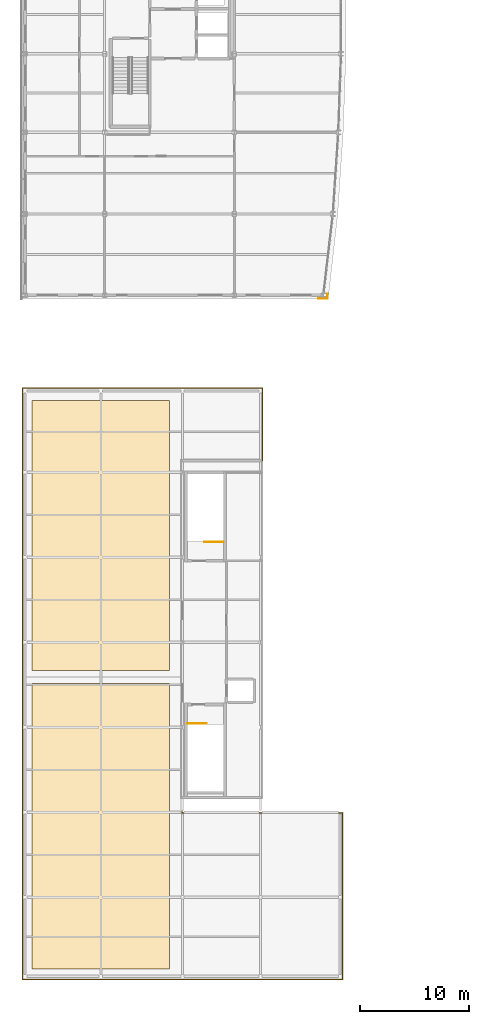
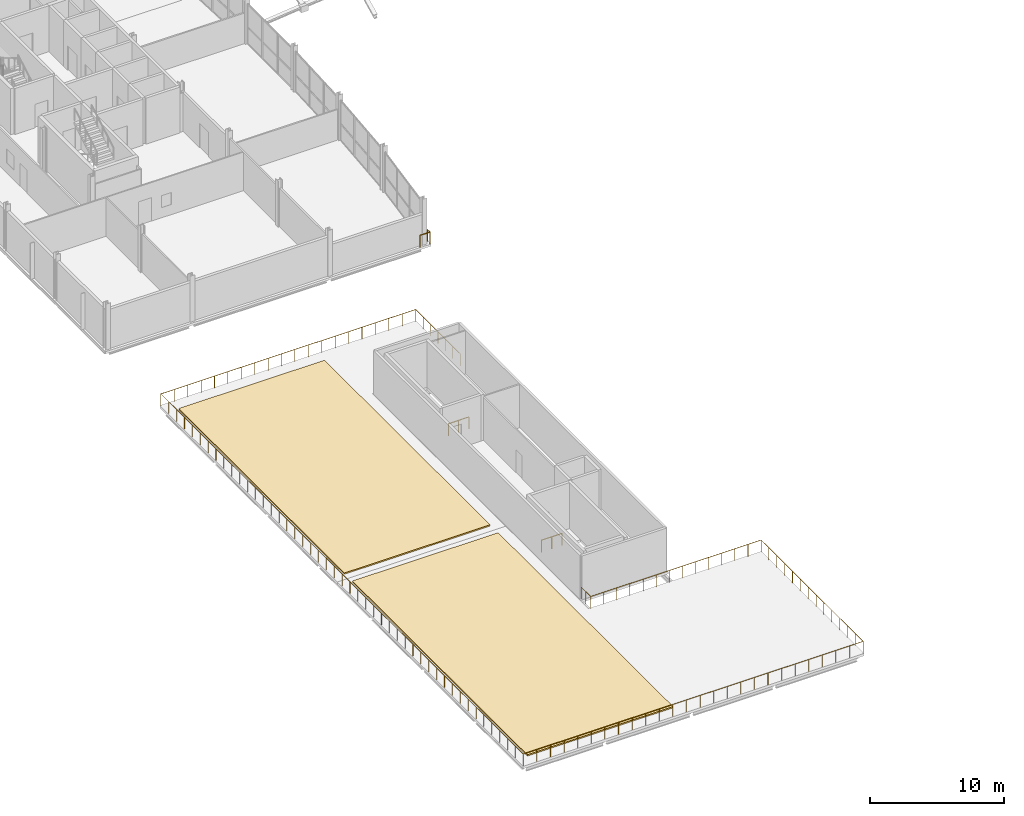
# One storey, part 27 of 36: 4 railings, 2 coverings.
"""IFC4 building model written with IfcOpenShell, lengths in metres."""

from ifc_helpers import new_model, si_unit, direction, frame, origin, origin_2d, place, context, subcontext, project, spatial, polyline, circle, outline, extrude, material, layer, layer_set, type_object, element, save


model = new_model("IFC4")

# Units and contexts
model_context = context("Model", 3, precision=1e-05, world=origin(), true_north=direction((0.0, 1.0)))
body_context = subcontext(model_context, "Body", "Model", "MODEL_VIEW")
ifc_project = project(units=[si_unit("LENGTHUNIT", "METRE"), si_unit("AREAUNIT", "SQUARE_METRE"), si_unit("VOLUMEUNIT", "CUBIC_METRE"), si_unit("PLANEANGLEUNIT", "RADIAN"), si_unit("MASSUNIT", "GRAM", prefix="KILO")], contexts=[model_context])

# Site, building, storey
site_placement = place(None, origin())
site = spatial("IfcSite", under=ifc_project, at=site_placement, CompositionType="ELEMENT")
building_placement = place(site_placement, origin())
building = spatial("IfcBuilding", under=site, at=building_placement, Name="Quillay Park Conservatory", CompositionType="ELEMENT")
storey_placement = place(building_placement, frame((0.0, 0.0, 18.300048828125)))
storey = spatial("IfcBuildingStorey", under=building, at=storey_placement, Name="L04", CompositionType="ELEMENT", Elevation=18.300048828125)

# Railings
ifc_material_1 = material(Name="Steel S355J2H", Category="steel")
railing_type_1 = type_object("IfcRailingType", Name="STAIR WELL GUARDRAIL 1100", PredefinedType="GUARDRAIL", material=ifc_material_1)
railing_1_placement = place(storey_placement, frame((15.449951171875, 23.75, 0.0)))
element("IfcRailing", 1, at=railing_1_placement, inside=storey, type_object=railing_type_1, Name="L04 ST-V1 top well guard 1", PredefinedType="GUARDRAIL", context=body_context, shape_type="SweptSolid", body=[
    extrude(circle(Radius=0.02392578125, at=origin_2d()), frame((0.0, 0.0, 1.076171875), z_axis=(1.0, 0.0, 0.0), x_axis=(0.0, 1.0, 0.0)), (0.0, 0.0, 1.0), 1.760009765625),
    extrude(circle(Radius=0.02099609375, at=origin_2d()), origin(), (0.0, 0.0, 1.0), 1.052001953125),
    extrude(circle(Radius=0.02099609375, at=origin_2d()), frame((0.8798828125, 0.0, 0.0)), (0.0, 0.0, 1.0), 1.052001953125),
    extrude(circle(Radius=0.02099609375, at=origin_2d()), frame((1.760009765625, 0.0, 0.0)), (0.0, 0.0, 1.0), 1.052001953125),
])
railing_2_placement = place(storey_placement, frame((18.77001953125, 40.39990234375, 0.0)))
element("IfcRailing", 2, at=railing_2_placement, inside=storey, type_object=railing_type_1, Name="L04 ST-V2 top well guard 1", PredefinedType="GUARDRAIL", context=body_context, shape_type="SweptSolid", body=[
    extrude(circle(Radius=0.02392578125, at=origin_2d()), frame((0.0, 0.0, 1.076171875), z_axis=(-1.0, 0.0, 0.0), x_axis=(0.0, -1.0, 0.0)), (0.0, 0.0, 1.0), 1.760009765625),
    extrude(circle(Radius=0.02099609375, at=origin_2d()), origin(), (0.0, 0.0, 1.0), 1.052001953125),
    extrude(circle(Radius=0.02099609375, at=origin_2d()), frame((-0.8798828125, 0.0, 0.0)), (0.0, 0.0, 1.0), 1.052001953125),
    extrude(circle(Radius=0.02099609375, at=origin_2d()), frame((-1.760009765625, 0.0, 0.0)), (0.0, 0.0, 1.0), 1.052001953125),
])
ifc_material_2 = material(Name="Steel S355J2H", Category="steel")
railing_type_2 = type_object("IfcRailingType", Name="TERRACE PERIMETER GUARDRAIL 1100", PredefinedType="GUARDRAIL", material=ifc_material_2)
railing_3_placement = place(storey_placement, frame((14.949951171875, 16.949951171875, 0.0)))
element("IfcRailing", 3, at=railing_3_placement, inside=storey, type_object=railing_type_2, Name="L04 Perimeter Safety Guardrail 001", PredefinedType="GUARDRAIL", context=body_context, shape_type="SweptSolid", body=[
    extrude(circle(Radius=0.02392578125, at=origin_2d()), frame((0.0, 0.0, 1.076171875), z_axis=(0.0, -1.0, 0.0), x_axis=(1.0, 0.0, 0.0)), (0.0, 0.0, 1.0), 1.409912109375),
    extrude(circle(Radius=0.02392578125, at=origin_2d()), frame((0.0, -1.409912109375, 1.076171875), z_axis=(1.0, 0.0, 0.0), x_axis=(0.0, 1.0, 0.0)), (0.0, 0.0, 1.0), 14.739990234375),
    extrude(circle(Radius=0.02392578125, at=origin_2d()), frame((14.739990234375, -1.409912109375, 1.076171875), z_axis=(0.0, -1.0, 0.0), x_axis=(1.0, 0.0, 0.0)), (0.0, 0.0, 1.0), 15.280029296875),
    extrude(circle(Radius=0.02392578125, at=origin_2d()), frame((14.739990234375, -16.68994140625, 1.076171875), z_axis=(-1.0, 0.0, 0.0), x_axis=(0.0, -1.0, 0.0)), (0.0, 0.0, 1.0), 29.3798828125),
    extrude(circle(Radius=0.02392578125, at=origin_2d()), frame((-14.639892578125, -16.68994140625, 1.076171875), z_axis=(0.0, 1.0, 0.0), x_axis=(-1.0, 0.0, 0.0)), (0.0, 0.0, 1.0), 54.280029296875),
    extrude(circle(Radius=0.02392578125, at=origin_2d()), frame((-14.639892578125, 37.590087890625, 1.076171875), z_axis=(1.0, 0.0, 0.0), x_axis=(0.0, 1.0, 0.0)), (0.0, 0.0, 1.0), 22.030029296875),
    extrude(circle(Radius=0.02392578125, at=origin_2d()), frame((7.39013671875, 37.590087890625, 1.076171875), z_axis=(0.0, -1.0, 0.0), x_axis=(1.0, 0.0, 0.0)), (0.0, 0.0, 1.0), 6.68994140625),
    extrude(circle(Radius=0.02099609375, at=origin_2d()), origin(), (0.0, 0.0, 1.0), 1.052001953125),
    extrude(circle(Radius=0.02099609375, at=origin_2d()), frame((0.0, -0.705078125, 0.0)), (0.0, 0.0, 1.0), 1.052001953125),
    extrude(circle(Radius=0.02099609375, at=origin_2d()), frame((0.0, -1.409912109375, 0.0)), (0.0, 0.0, 1.0), 1.052001953125),
    extrude(circle(Radius=0.02099609375, at=origin_2d()), frame((1.1337890625, -1.409912109375, 0.0)), (0.0, 0.0, 1.0), 1.052001953125),
    extrude(circle(Radius=0.02099609375, at=origin_2d()), frame((2.267578125, -1.409912109375, 0.0)), (0.0, 0.0, 1.0), 1.052001953125),
    extrude(circle(Radius=0.02099609375, at=origin_2d()), frame((3.401611328125, -1.409912109375, 0.0)), (0.0, 0.0, 1.0), 1.052001953125),
    extrude(circle(Radius=0.02099609375, at=origin_2d()), frame((4.535400390625, -1.409912109375, 0.0)), (0.0, 0.0, 1.0), 1.052001953125),
    extrude(circle(Radius=0.02099609375, at=origin_2d()), frame((5.669189453125, -1.409912109375, 0.0)), (0.0, 0.0, 1.0), 1.052001953125),
    extrude(circle(Radius=0.02099609375, at=origin_2d()), frame((6.802978515625, -1.409912109375, 0.0)), (0.0, 0.0, 1.0), 1.052001953125),
    extrude(circle(Radius=0.02099609375, at=origin_2d()), frame((7.93701171875, -1.409912109375, 0.0)), (0.0, 0.0, 1.0), 1.052001953125),
    extrude(circle(Radius=0.02099609375, at=origin_2d()), frame((9.07080078125, -1.409912109375, 0.0)), (0.0, 0.0, 1.0), 1.052001953125),
    extrude(circle(Radius=0.02099609375, at=origin_2d()), frame((10.20458984375, -1.409912109375, 0.0)), (0.0, 0.0, 1.0), 1.052001953125),
    extrude(circle(Radius=0.02099609375, at=origin_2d()), frame((11.33837890625, -1.409912109375, 0.0)), (0.0, 0.0, 1.0), 1.052001953125),
    extrude(circle(Radius=0.02099609375, at=origin_2d()), frame((12.472412109375, -1.409912109375, 0.0)), (0.0, 0.0, 1.0), 1.052001953125),
    extrude(circle(Radius=0.02099609375, at=origin_2d()), frame((13.606201171875, -1.409912109375, 0.0)), (0.0, 0.0, 1.0), 1.052001953125),
    extrude(circle(Radius=0.02099609375, at=origin_2d()), frame((14.739990234375, -1.409912109375, 0.0)), (0.0, 0.0, 1.0), 1.052001953125),
    extrude(circle(Radius=0.02099609375, at=origin_2d()), frame((14.739990234375, -2.585205078125, 0.0)), (0.0, 0.0, 1.0), 1.052001953125),
    extrude(circle(Radius=0.02099609375, at=origin_2d()), frame((14.739990234375, -3.7607421875, 0.0)), (0.0, 0.0, 1.0), 1.052001953125),
    extrude(circle(Radius=0.02099609375, at=origin_2d()), frame((14.739990234375, -4.93603515625, 0.0)), (0.0, 0.0, 1.0), 1.052001953125),
    extrude(circle(Radius=0.02099609375, at=origin_2d()), frame((14.739990234375, -6.111572265625, 0.0)), (0.0, 0.0, 1.0), 1.052001953125),
    extrude(circle(Radius=0.02099609375, at=origin_2d()), frame((14.739990234375, -7.286865234375, 0.0)), (0.0, 0.0, 1.0), 1.052001953125),
    extrude(circle(Radius=0.02099609375, at=origin_2d()), frame((14.739990234375, -8.462158203125, 0.0)), (0.0, 0.0, 1.0), 1.052001953125),
    extrude(circle(Radius=0.02099609375, at=origin_2d()), frame((14.739990234375, -9.6376953125, 0.0)), (0.0, 0.0, 1.0), 1.052001953125),
    extrude(circle(Radius=0.02099609375, at=origin_2d()), frame((14.739990234375, -10.81298828125, 0.0)), (0.0, 0.0, 1.0), 1.052001953125),
    extrude(circle(Radius=0.02099609375, at=origin_2d()), frame((14.739990234375, -11.98828125, 0.0)), (0.0, 0.0, 1.0), 1.052001953125),
    extrude(circle(Radius=0.02099609375, at=origin_2d()), frame((14.739990234375, -13.163818359375, 0.0)), (0.0, 0.0, 1.0), 1.052001953125),
    extrude(circle(Radius=0.02099609375, at=origin_2d()), frame((14.739990234375, -14.339111328125, 0.0)), (0.0, 0.0, 1.0), 1.052001953125),
    extrude(circle(Radius=0.02099609375, at=origin_2d()), frame((14.739990234375, -15.5146484375, 0.0)), (0.0, 0.0, 1.0), 1.052001953125),
    extrude(circle(Radius=0.02099609375, at=origin_2d()), frame((14.739990234375, -16.68994140625, 0.0)), (0.0, 0.0, 1.0), 1.052001953125),
    extrude(circle(Radius=0.02099609375, at=origin_2d()), frame((13.564697265625, -16.68994140625, 0.0)), (0.0, 0.0, 1.0), 1.052001953125),
    extrude(circle(Radius=0.02099609375, at=origin_2d()), frame((12.3896484375, -16.68994140625, 0.0)), (0.0, 0.0, 1.0), 1.052001953125),
    extrude(circle(Radius=0.02099609375, at=origin_2d()), frame((11.21435546875, -16.68994140625, 0.0)), (0.0, 0.0, 1.0), 1.052001953125),
    extrude(circle(Radius=0.02099609375, at=origin_2d()), frame((10.039306640625, -16.68994140625, 0.0)), (0.0, 0.0, 1.0), 1.052001953125),
    extrude(circle(Radius=0.02099609375, at=origin_2d()), frame((8.864013671875, -16.68994140625, 0.0)), (0.0, 0.0, 1.0), 1.052001953125),
    extrude(circle(Radius=0.02099609375, at=origin_2d()), frame((7.688720703125, -16.68994140625, 0.0)), (0.0, 0.0, 1.0), 1.052001953125),
    extrude(circle(Radius=0.02099609375, at=origin_2d()), frame((6.513671875, -16.68994140625, 0.0)), (0.0, 0.0, 1.0), 1.052001953125),
    extrude(circle(Radius=0.02099609375, at=origin_2d()), frame((5.33837890625, -16.68994140625, 0.0)), (0.0, 0.0, 1.0), 1.052001953125),
    extrude(circle(Radius=0.02099609375, at=origin_2d()), frame((4.163330078125, -16.68994140625, 0.0)), (0.0, 0.0, 1.0), 1.052001953125),
    extrude(circle(Radius=0.02099609375, at=origin_2d()), frame((2.988037109375, -16.68994140625, 0.0)), (0.0, 0.0, 1.0), 1.052001953125),
    extrude(circle(Radius=0.02099609375, at=origin_2d()), frame((1.812744140625, -16.68994140625, 0.0)), (0.0, 0.0, 1.0), 1.052001953125),
    extrude(circle(Radius=0.02099609375, at=origin_2d()), frame((0.6376953125, -16.68994140625, 0.0)), (0.0, 0.0, 1.0), 1.052001953125),
    extrude(circle(Radius=0.02099609375, at=origin_2d()), frame((-0.53759765625, -16.68994140625, 0.0)), (0.0, 0.0, 1.0), 1.052001953125),
    extrude(circle(Radius=0.02099609375, at=origin_2d()), frame((-1.712646484375, -16.68994140625, 0.0)), (0.0, 0.0, 1.0), 1.052001953125),
    extrude(circle(Radius=0.02099609375, at=origin_2d()), frame((-2.887939453125, -16.68994140625, 0.0)), (0.0, 0.0, 1.0), 1.052001953125),
    extrude(circle(Radius=0.02099609375, at=origin_2d()), frame((-4.063232421875, -16.68994140625, 0.0)), (0.0, 0.0, 1.0), 1.052001953125),
    extrude(circle(Radius=0.02099609375, at=origin_2d()), frame((-5.23828125, -16.68994140625, 0.0)), (0.0, 0.0, 1.0), 1.052001953125),
    extrude(circle(Radius=0.02099609375, at=origin_2d()), frame((-6.41357421875, -16.68994140625, 0.0)), (0.0, 0.0, 1.0), 1.052001953125),
    extrude(circle(Radius=0.02099609375, at=origin_2d()), frame((-7.588623046875, -16.68994140625, 0.0)), (0.0, 0.0, 1.0), 1.052001953125),
    extrude(circle(Radius=0.02099609375, at=origin_2d()), frame((-8.763916015625, -16.68994140625, 0.0)), (0.0, 0.0, 1.0), 1.052001953125),
    extrude(circle(Radius=0.02099609375, at=origin_2d()), frame((-9.939208984375, -16.68994140625, 0.0)), (0.0, 0.0, 1.0), 1.052001953125),
    extrude(circle(Radius=0.02099609375, at=origin_2d()), frame((-11.1142578125, -16.68994140625, 0.0)), (0.0, 0.0, 1.0), 1.052001953125),
    extrude(circle(Radius=0.02099609375, at=origin_2d()), frame((-12.28955078125, -16.68994140625, 0.0)), (0.0, 0.0, 1.0), 1.052001953125),
    extrude(circle(Radius=0.02099609375, at=origin_2d()), frame((-13.464599609375, -16.68994140625, 0.0)), (0.0, 0.0, 1.0), 1.052001953125),
    extrude(circle(Radius=0.02099609375, at=origin_2d()), frame((-14.639892578125, -16.68994140625, 0.0)), (0.0, 0.0, 1.0), 1.052001953125),
    extrude(circle(Radius=0.02099609375, at=origin_2d()), frame((-14.639892578125, -15.510009765625, 0.0)), (0.0, 0.0, 1.0), 1.052001953125),
    extrude(circle(Radius=0.02099609375, at=origin_2d()), frame((-14.639892578125, -14.329833984375, 0.0)), (0.0, 0.0, 1.0), 1.052001953125),
    extrude(circle(Radius=0.02099609375, at=origin_2d()), frame((-14.639892578125, -13.14990234375, 0.0)), (0.0, 0.0, 1.0), 1.052001953125),
    extrude(circle(Radius=0.02099609375, at=origin_2d()), frame((-14.639892578125, -11.969970703125, 0.0)), (0.0, 0.0, 1.0), 1.052001953125),
    extrude(circle(Radius=0.02099609375, at=origin_2d()), frame((-14.639892578125, -10.7900390625, 0.0)), (0.0, 0.0, 1.0), 1.052001953125),
    extrude(circle(Radius=0.02099609375, at=origin_2d()), frame((-14.639892578125, -9.60986328125, 0.0)), (0.0, 0.0, 1.0), 1.052001953125),
    extrude(circle(Radius=0.02099609375, at=origin_2d()), frame((-14.639892578125, -8.429931640625, 0.0)), (0.0, 0.0, 1.0), 1.052001953125),
    extrude(circle(Radius=0.02099609375, at=origin_2d()), frame((-14.639892578125, -7.25, 0.0)), (0.0, 0.0, 1.0), 1.052001953125),
    extrude(circle(Radius=0.02099609375, at=origin_2d()), frame((-14.639892578125, -6.06982421875, 0.0)), (0.0, 0.0, 1.0), 1.052001953125),
    extrude(circle(Radius=0.02099609375, at=origin_2d()), frame((-14.639892578125, -4.889892578125, 0.0)), (0.0, 0.0, 1.0), 1.052001953125),
    extrude(circle(Radius=0.02099609375, at=origin_2d()), frame((-14.639892578125, -3.7099609375, 0.0)), (0.0, 0.0, 1.0), 1.052001953125),
    extrude(circle(Radius=0.02099609375, at=origin_2d()), frame((-14.639892578125, -2.530029296875, 0.0)), (0.0, 0.0, 1.0), 1.052001953125),
    extrude(circle(Radius=0.02099609375, at=origin_2d()), frame((-14.639892578125, -1.349853515625, 0.0)), (0.0, 0.0, 1.0), 1.052001953125),
    extrude(circle(Radius=0.02099609375, at=origin_2d()), frame((-14.639892578125, -0.169921875, 0.0)), (0.0, 0.0, 1.0), 1.052001953125),
    extrude(circle(Radius=0.02099609375, at=origin_2d()), frame((-14.639892578125, 1.010009765625, 0.0)), (0.0, 0.0, 1.0), 1.052001953125),
    extrude(circle(Radius=0.02099609375, at=origin_2d()), frame((-14.639892578125, 2.190185546875, 0.0)), (0.0, 0.0, 1.0), 1.052001953125),
    extrude(circle(Radius=0.02099609375, at=origin_2d()), frame((-14.639892578125, 3.3701171875, 0.0)), (0.0, 0.0, 1.0), 1.052001953125),
    extrude(circle(Radius=0.02099609375, at=origin_2d()), frame((-14.639892578125, 4.550048828125, 0.0)), (0.0, 0.0, 1.0), 1.052001953125),
    extrude(circle(Radius=0.02099609375, at=origin_2d()), frame((-14.639892578125, 5.72998046875, 0.0)), (0.0, 0.0, 1.0), 1.052001953125),
    extrude(circle(Radius=0.02099609375, at=origin_2d()), frame((-14.639892578125, 6.91015625, 0.0)), (0.0, 0.0, 1.0), 1.052001953125),
    extrude(circle(Radius=0.02099609375, at=origin_2d()), frame((-14.639892578125, 8.090087890625, 0.0)), (0.0, 0.0, 1.0), 1.052001953125),
    extrude(circle(Radius=0.02099609375, at=origin_2d()), frame((-14.639892578125, 9.27001953125, 0.0)), (0.0, 0.0, 1.0), 1.052001953125),
    extrude(circle(Radius=0.02099609375, at=origin_2d()), frame((-14.639892578125, 10.4501953125, 0.0)), (0.0, 0.0, 1.0), 1.052001953125),
    extrude(circle(Radius=0.02099609375, at=origin_2d()), frame((-14.639892578125, 11.630126953125, 0.0)), (0.0, 0.0, 1.0), 1.052001953125),
    extrude(circle(Radius=0.02099609375, at=origin_2d()), frame((-14.639892578125, 12.81005859375, 0.0)), (0.0, 0.0, 1.0), 1.052001953125),
    extrude(circle(Radius=0.02099609375, at=origin_2d()), frame((-14.639892578125, 13.989990234375, 0.0)), (0.0, 0.0, 1.0), 1.052001953125),
    extrude(circle(Radius=0.02099609375, at=origin_2d()), frame((-14.639892578125, 15.170166015625, 0.0)), (0.0, 0.0, 1.0), 1.052001953125),
    extrude(circle(Radius=0.02099609375, at=origin_2d()), frame((-14.639892578125, 16.35009765625, 0.0)), (0.0, 0.0, 1.0), 1.052001953125),
    extrude(circle(Radius=0.02099609375, at=origin_2d()), frame((-14.639892578125, 17.530029296875, 0.0)), (0.0, 0.0, 1.0), 1.052001953125),
    extrude(circle(Radius=0.02099609375, at=origin_2d()), frame((-14.639892578125, 18.7099609375, 0.0)), (0.0, 0.0, 1.0), 1.052001953125),
    extrude(circle(Radius=0.02099609375, at=origin_2d()), frame((-14.639892578125, 19.89013671875, 0.0)), (0.0, 0.0, 1.0), 1.052001953125),
    extrude(circle(Radius=0.02099609375, at=origin_2d()), frame((-14.639892578125, 21.070068359375, 0.0)), (0.0, 0.0, 1.0), 1.052001953125),
    extrude(circle(Radius=0.02099609375, at=origin_2d()), frame((-14.639892578125, 22.25, 0.0)), (0.0, 0.0, 1.0), 1.052001953125),
    extrude(circle(Radius=0.02099609375, at=origin_2d()), frame((-14.639892578125, 23.43017578125, 0.0)), (0.0, 0.0, 1.0), 1.052001953125),
    extrude(circle(Radius=0.02099609375, at=origin_2d()), frame((-14.639892578125, 24.610107421875, 0.0)), (0.0, 0.0, 1.0), 1.052001953125),
    extrude(circle(Radius=0.02099609375, at=origin_2d()), frame((-14.639892578125, 25.7900390625, 0.0)), (0.0, 0.0, 1.0), 1.052001953125),
    extrude(circle(Radius=0.02099609375, at=origin_2d()), frame((-14.639892578125, 26.969970703125, 0.0)), (0.0, 0.0, 1.0), 1.052001953125),
    extrude(circle(Radius=0.02099609375, at=origin_2d()), frame((-14.639892578125, 28.150146484375, 0.0)), (0.0, 0.0, 1.0), 1.052001953125),
    extrude(circle(Radius=0.02099609375, at=origin_2d()), frame((-14.639892578125, 29.330078125, 0.0)), (0.0, 0.0, 1.0), 1.052001953125),
    extrude(circle(Radius=0.02099609375, at=origin_2d()), frame((-14.639892578125, 30.510009765625, 0.0)), (0.0, 0.0, 1.0), 1.052001953125),
    extrude(circle(Radius=0.02099609375, at=origin_2d()), frame((-14.639892578125, 31.690185546875, 0.0)), (0.0, 0.0, 1.0), 1.052001953125),
    extrude(circle(Radius=0.02099609375, at=origin_2d()), frame((-14.639892578125, 32.8701171875, 0.0)), (0.0, 0.0, 1.0), 1.052001953125),
    extrude(circle(Radius=0.02099609375, at=origin_2d()), frame((-14.639892578125, 34.050048828125, 0.0)), (0.0, 0.0, 1.0), 1.052001953125),
    extrude(circle(Radius=0.02099609375, at=origin_2d()), frame((-14.639892578125, 35.22998046875, 0.0)), (0.0, 0.0, 1.0), 1.052001953125),
    extrude(circle(Radius=0.02099609375, at=origin_2d()), frame((-14.639892578125, 36.41015625, 0.0)), (0.0, 0.0, 1.0), 1.052001953125),
    extrude(circle(Radius=0.02099609375, at=origin_2d()), frame((-14.639892578125, 37.590087890625, 0.0)), (0.0, 0.0, 1.0), 1.052001953125),
    extrude(circle(Radius=0.02099609375, at=origin_2d()), frame((-13.48046875, 37.590087890625, 0.0)), (0.0, 0.0, 1.0), 1.052001953125),
    extrude(circle(Radius=0.02099609375, at=origin_2d()), frame((-12.321044921875, 37.590087890625, 0.0)), (0.0, 0.0, 1.0), 1.052001953125),
    extrude(circle(Radius=0.02099609375, at=origin_2d()), frame((-11.161376953125, 37.590087890625, 0.0)), (0.0, 0.0, 1.0), 1.052001953125),
    extrude(circle(Radius=0.02099609375, at=origin_2d()), frame((-10.001953125, 37.590087890625, 0.0)), (0.0, 0.0, 1.0), 1.052001953125),
    extrude(circle(Radius=0.02099609375, at=origin_2d()), frame((-8.842529296875, 37.590087890625, 0.0)), (0.0, 0.0, 1.0), 1.052001953125),
    extrude(circle(Radius=0.02099609375, at=origin_2d()), frame((-7.68310546875, 37.590087890625, 0.0)), (0.0, 0.0, 1.0), 1.052001953125),
    extrude(circle(Radius=0.02099609375, at=origin_2d()), frame((-6.523681640625, 37.590087890625, 0.0)), (0.0, 0.0, 1.0), 1.052001953125),
    extrude(circle(Radius=0.02099609375, at=origin_2d()), frame((-5.364013671875, 37.590087890625, 0.0)), (0.0, 0.0, 1.0), 1.052001953125),
    extrude(circle(Radius=0.02099609375, at=origin_2d()), frame((-4.20458984375, 37.590087890625, 0.0)), (0.0, 0.0, 1.0), 1.052001953125),
    extrude(circle(Radius=0.02099609375, at=origin_2d()), frame((-3.045166015625, 37.590087890625, 0.0)), (0.0, 0.0, 1.0), 1.052001953125),
    extrude(circle(Radius=0.02099609375, at=origin_2d()), frame((-1.8857421875, 37.590087890625, 0.0)), (0.0, 0.0, 1.0), 1.052001953125),
    extrude(circle(Radius=0.02099609375, at=origin_2d()), frame((-0.72607421875, 37.590087890625, 0.0)), (0.0, 0.0, 1.0), 1.052001953125),
    extrude(circle(Radius=0.02099609375, at=origin_2d()), frame((0.433349609375, 37.590087890625, 0.0)), (0.0, 0.0, 1.0), 1.052001953125),
    extrude(circle(Radius=0.02099609375, at=origin_2d()), frame((1.5927734375, 37.590087890625, 0.0)), (0.0, 0.0, 1.0), 1.052001953125),
    extrude(circle(Radius=0.02099609375, at=origin_2d()), frame((2.752197265625, 37.590087890625, 0.0)), (0.0, 0.0, 1.0), 1.052001953125),
    extrude(circle(Radius=0.02099609375, at=origin_2d()), frame((3.91162109375, 37.590087890625, 0.0)), (0.0, 0.0, 1.0), 1.052001953125),
    extrude(circle(Radius=0.02099609375, at=origin_2d()), frame((5.0712890625, 37.590087890625, 0.0)), (0.0, 0.0, 1.0), 1.052001953125),
    extrude(circle(Radius=0.02099609375, at=origin_2d()), frame((6.230712890625, 37.590087890625, 0.0)), (0.0, 0.0, 1.0), 1.052001953125),
    extrude(circle(Radius=0.02099609375, at=origin_2d()), frame((7.39013671875, 37.590087890625, 0.0)), (0.0, 0.0, 1.0), 1.052001953125),
    extrude(circle(Radius=0.02099609375, at=origin_2d()), frame((7.39013671875, 36.47509765625, 0.0)), (0.0, 0.0, 1.0), 1.052001953125),
    extrude(circle(Radius=0.02099609375, at=origin_2d()), frame((7.39013671875, 35.360107421875, 0.0)), (0.0, 0.0, 1.0), 1.052001953125),
    extrude(circle(Radius=0.02099609375, at=origin_2d()), frame((7.39013671875, 34.2451171875, 0.0)), (0.0, 0.0, 1.0), 1.052001953125),
    extrude(circle(Radius=0.02099609375, at=origin_2d()), frame((7.39013671875, 33.130126953125, 0.0)), (0.0, 0.0, 1.0), 1.052001953125),
    extrude(circle(Radius=0.02099609375, at=origin_2d()), frame((7.39013671875, 32.01513671875, 0.0)), (0.0, 0.0, 1.0), 1.052001953125),
    extrude(circle(Radius=0.02099609375, at=origin_2d()), frame((7.39013671875, 30.900146484375, 0.0)), (0.0, 0.0, 1.0), 1.052001953125),
])
railing_4_placement = place(storey_placement, frame((27.465087890625, 62.760009765625, 0.0)))
element("IfcRailing", 4, at=railing_4_placement, inside=storey, type_object=railing_type_2, Name="L04 Perimeter Safety Guardrail 027", PredefinedType="GUARDRAIL", context=body_context, shape_type="SweptSolid", body=[
    extrude(circle(Radius=0.02392578125, at=origin_2d()), frame((0.0, 0.0, 1.076171875), z_axis=(1.0, 0.0, 0.0), x_axis=(0.0, 1.0, 0.0)), (0.0, 0.0, 1.0), 0.849853515625),
    extrude(circle(Radius=0.02392578125, at=origin_2d()), frame((0.849853515625, 0.0, 1.076171875), z_axis=(0.0, 1.0, 0.0), x_axis=(-1.0, 0.0, 0.0)), (0.0, 0.0, 1.0), 0.389892578125),
    extrude(circle(Radius=0.02099609375, at=origin_2d()), origin(), (0.0, 0.0, 1.0), 1.052001953125),
    extrude(circle(Radius=0.02099609375, at=origin_2d()), frame((0.849853515625, 0.0, 0.0)), (0.0, 0.0, 1.0), 1.052001953125),
    extrude(circle(Radius=0.02099609375, at=origin_2d()), frame((0.849853515625, 0.389892578125, 0.0)), (0.0, 0.0, 1.0), 1.052001953125),
])

# Coverings
ifc_material_3 = material(Name="Insulated TPO & Extensive Vegetated Roof Assembly")
ifc_layer = layer(ifc_material_3, 0.1201171875)
ifc_layer_set = layer_set([ifc_layer], Name="VEGETATED EXTENSIVE ROOFING 120 (Insulated TPO & Extensive Vegetated Roof Assembly)")
covering_type = type_object("IfcCoveringType", Name="VEGETATED EXTENSIVE ROOFING 120", PredefinedType="ROOFING", material=ifc_layer_set)
covering_1_placement = place(storey_placement, origin())
element("IfcCovering", 5, at=covering_1_placement, inside=storey, type_object=covering_type, Name="L04 Roof Assembly Covering 03", PredefinedType="ROOFING", context=body_context, shape_type="SweptSolid", body=[
    extrude(outline(polyline([(1.199951171875, 1.199951171875), (13.800048828125, 1.199951171875), (13.800048828125, 27.39990234375), (1.199951171875, 27.39990234375), (1.199951171875, 1.199951171875)])), origin(), (0.0, 0.0, 1.0), 0.119873046875),
])
covering_2_placement = place(storey_placement, origin())
element("IfcCovering", 6, at=covering_2_placement, inside=storey, type_object=covering_type, Name="L04 Roof Assembly Covering 04", PredefinedType="ROOFING", context=body_context, shape_type="SweptSolid", body=[
    extrude(outline(polyline([(1.199951171875, 28.60009765625), (13.800048828125, 28.60009765625), (13.800048828125, 53.39990234375), (1.199951171875, 53.39990234375), (1.199951171875, 28.60009765625)])), origin(), (0.0, 0.0, 1.0), 0.119873046875),
])

save(model, "model.ifc")
